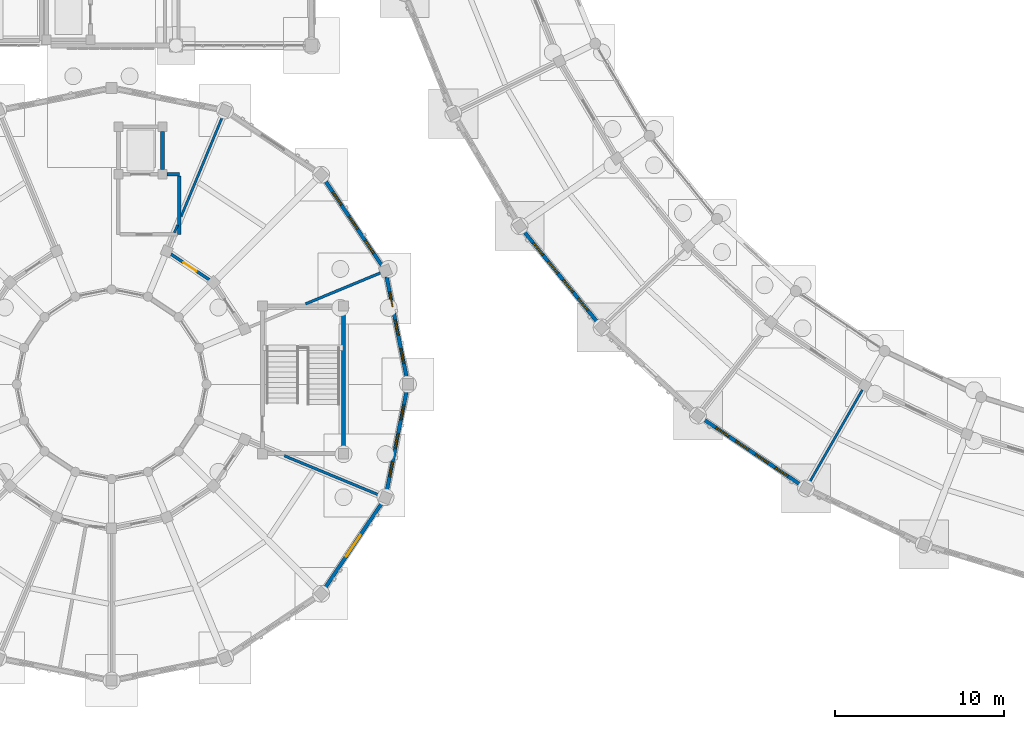
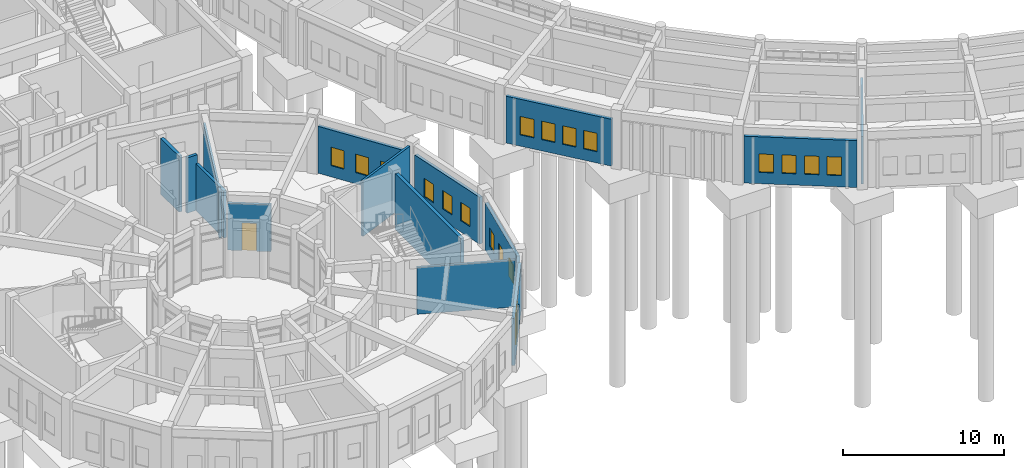
# One storey, part 117 of 153: 17 windows, 16 walls, 2 doors, 19 openings.
"""IFC4 building model written with IfcOpenShell, lengths in metres."""

from ifc_helpers import new_model, si_unit, direction, frame, frame_2d, origin, place, context, subcontext, project, spatial, rectangle, extrude, material, layer, layer_set, type_object, element, fill, save


model = new_model("IFC4")

# Units and contexts
model_context = context("Model", 3, precision=1e-05, world=origin(), true_north=direction((0.0, 1.0)))
body_context = subcontext(model_context, "Body", "Model", "MODEL_VIEW")
ifc_project = project(units=[si_unit("LENGTHUNIT", "METRE"), si_unit("AREAUNIT", "SQUARE_METRE"), si_unit("VOLUMEUNIT", "CUBIC_METRE"), si_unit("PLANEANGLEUNIT", "RADIAN"), si_unit("MASSUNIT", "GRAM", prefix="KILO")], contexts=[model_context])

# Site, building, storey
site_placement = place(None, origin())
site = spatial("IfcSite", under=ifc_project, at=site_placement, CompositionType="ELEMENT")
building_placement = place(site_placement, origin())
building = spatial("IfcBuilding", under=site, at=building_placement, Name="Celadon Cloister-Ring School", CompositionType="ELEMENT")
storey_placement = place(building_placement, origin())
storey = spatial("IfcBuildingStorey", under=building, at=storey_placement, Name="L00", CompositionType="ELEMENT", Elevation=0.0)

# Wall, openings, windows
ifc_material_1 = material(Name="Perforated terracotta clay brick masonry", Category="masonry")
ifc_layer_1 = layer(ifc_material_1, 0.219970703125)
ifc_layer_set_1 = layer_set([ifc_layer_1], Name="Perforated terracotta clay brick masonry")
wall_type_1 = type_object("IfcWallType", Name="WT-EX4", PredefinedType="SOLIDWALL", material=ifc_layer_set_1)
wall_1_placement = place(storey_placement, frame((48.926025390625, 23.616943359375, 0.0), z_axis=(0.0, 0.0, 1.0), x_axis=(-0.629497848331, 0.777002225831, 0.0)))
wall_1 = element("IfcWall", 1, at=wall_1_placement, inside=storey, type_object=wall_type_1, Name="Exterior Wall 0017", PredefinedType="SOLIDWALL", context=body_context, shape_type="SweptSolid", body=[
    extrude(rectangle(XDim=7.031005859375, YDim=0.219970703125, at=frame_2d((3.515625, 0.0))), origin(), (0.0, 0.0, 1.0), 3.550048828125),
])
opening_1_placement = place(wall_1_placement, frame((0.9560546875, 0.0, 0.85009765625)))
opening_1 = element("IfcOpeningElement", 2, at=opening_1_placement, cuts=wall_1, Name="Opening WN-21", PredefinedType="OPENING", context=body_context, shape_type="SweptSolid", body=[
    extrude(rectangle(XDim=0.89990234375, YDim=1.39990234375, at=frame_2d((0.449951171875, 0.699951171875))), frame((0.0, 0.1201171875, 0.0), z_axis=(0.0, -1.0, 0.0), x_axis=(1.0, 0.0, 0.0)), (0.0, 0.0, 1.0), 0.239990234375),
])
opening_2_placement = place(wall_1_placement, frame((2.362060546875, 0.0, 0.85009765625)))
opening_2 = element("IfcOpeningElement", 3, at=opening_2_placement, cuts=wall_1, Name="Opening WN-21", PredefinedType="OPENING", context=body_context, shape_type="SweptSolid", body=[
    extrude(rectangle(XDim=0.89990234375, YDim=1.39990234375, at=frame_2d((0.449951171875, 0.699951171875))), frame((0.0, 0.1201171875, 0.0), z_axis=(0.0, -1.0, 0.0), x_axis=(1.0, 0.0, 0.0)), (0.0, 0.0, 1.0), 0.239990234375),
])
opening_3_placement = place(wall_1_placement, frame((3.76904296875, 0.0, 0.85009765625)))
opening_3 = element("IfcOpeningElement", 4, at=opening_3_placement, cuts=wall_1, Name="Opening WN-21", PredefinedType="OPENING", context=body_context, shape_type="SweptSolid", body=[
    extrude(rectangle(XDim=0.89990234375, YDim=1.39990234375, at=frame_2d((0.449951171875, 0.699951171875))), frame((0.0, 0.1201171875, 0.0), z_axis=(0.0, -1.0, 0.0), x_axis=(1.0, 0.0, 0.0)), (0.0, 0.0, 1.0), 0.239990234375),
])
opening_4_placement = place(wall_1_placement, frame((5.175048828125, 0.0, 0.85009765625)))
opening_4 = element("IfcOpeningElement", 5, at=opening_4_placement, cuts=wall_1, Name="Opening WN-21", PredefinedType="OPENING", context=body_context, shape_type="SweptSolid", body=[
    extrude(rectangle(XDim=0.89990234375, YDim=1.39990234375, at=frame_2d((0.449951171875, 0.699951171875))), frame((0.0, 0.1201171875, 0.0), z_axis=(0.0, -1.0, 0.0), x_axis=(1.0, 0.0, 0.0)), (0.0, 0.0, 1.0), 0.239990234375),
])
ifc_material_2 = material(Name="Tempered laminated insulating glass", Category="glass")
window_type = type_object("IfcWindowType", Name="WN-21", PartitioningType="SINGLE_PANEL", PredefinedType="WINDOW", material=ifc_material_2)
window_1_placement = place(opening_1_placement, origin())
window_1 = element("IfcWindow", 6, at=window_1_placement, inside=storey, type_object=window_type, Name="Window 0042", OverallHeight=1.39990234375, OverallWidth=0.89990234375, PartitioningType="SINGLE_PANEL", PredefinedType="WINDOW", context=body_context, shape_type="SweptSolid", body=[
    extrude(rectangle(XDim=0.89990234375, YDim=1.39990234375, at=frame_2d((0.449951171875, 0.699951171875))), frame((0.0, 0.030029296875, 0.0), z_axis=(0.0, -1.0, 0.0), x_axis=(1.0, 0.0, 0.0)), (0.0, 0.0, 1.0), 0.06005859375),
])
fill(opening_1, window_1)
window_2_placement = place(opening_2_placement, origin())
window_2 = element("IfcWindow", 7, at=window_2_placement, inside=storey, type_object=window_type, Name="Window 0043", OverallHeight=1.39990234375, OverallWidth=0.89990234375, PartitioningType="SINGLE_PANEL", PredefinedType="WINDOW", context=body_context, shape_type="SweptSolid", body=[
    extrude(rectangle(XDim=0.89990234375, YDim=1.39990234375, at=frame_2d((0.449951171875, 0.699951171875))), frame((0.0, 0.030029296875, 0.0), z_axis=(0.0, -1.0, 0.0), x_axis=(1.0, 0.0, 0.0)), (0.0, 0.0, 1.0), 0.06005859375),
])
fill(opening_2, window_2)
window_3_placement = place(opening_3_placement, origin())
window_3 = element("IfcWindow", 8, at=window_3_placement, inside=storey, type_object=window_type, Name="Window 0044", OverallHeight=1.39990234375, OverallWidth=0.89990234375, PartitioningType="SINGLE_PANEL", PredefinedType="WINDOW", context=body_context, shape_type="SweptSolid", body=[
    extrude(rectangle(XDim=0.89990234375, YDim=1.39990234375, at=frame_2d((0.449951171875, 0.699951171875))), frame((0.0, 0.030029296875, 0.0), z_axis=(0.0, -1.0, 0.0), x_axis=(1.0, 0.0, 0.0)), (0.0, 0.0, 1.0), 0.06005859375),
])
fill(opening_3, window_3)
window_4_placement = place(opening_4_placement, origin())
window_4 = element("IfcWindow", 9, at=window_4_placement, inside=storey, type_object=window_type, Name="Window 0045", OverallHeight=1.39990234375, OverallWidth=0.89990234375, PartitioningType="SINGLE_PANEL", PredefinedType="WINDOW", context=body_context, shape_type="SweptSolid", body=[
    extrude(rectangle(XDim=0.89990234375, YDim=1.39990234375, at=frame_2d((0.449951171875, 0.699951171875))), frame((0.0, 0.030029296875, 0.0), z_axis=(0.0, -1.0, 0.0), x_axis=(1.0, 0.0, 0.0)), (0.0, 0.0, 1.0), 0.06005859375),
])
fill(opening_4, window_4)

wall_2_placement = place(storey_placement, frame((60.928955078125, 14.034912109375, 0.0), z_axis=(0.0, 0.0, 1.0), x_axis=(-0.829175809129, 0.558987904659, 0.0)))
wall_2 = element("IfcWall", 10, at=wall_2_placement, inside=storey, type_object=wall_type_1, Name="Exterior Wall 0020", PredefinedType="SOLIDWALL", context=body_context, shape_type="SweptSolid", body=[
    extrude(rectangle(XDim=7.03076171875, YDim=0.219970703125, at=frame_2d((3.515380859375, 0.0))), origin(), (0.0, 0.0, 1.0), 3.550048828125),
])
opening_5_placement = place(wall_2_placement, frame((0.9560546875, 0.0, 0.85009765625)))
opening_5 = element("IfcOpeningElement", 11, at=opening_5_placement, cuts=wall_2, Name="Opening WN-21", PredefinedType="OPENING", context=body_context, shape_type="SweptSolid", body=[
    extrude(rectangle(XDim=0.89990234375, YDim=1.39990234375, at=frame_2d((0.449951171875, 0.699951171875))), frame((0.0, 0.1201171875, 0.0), z_axis=(0.0, -1.0, 0.0), x_axis=(1.0, 0.0, 0.0)), (0.0, 0.0, 1.0), 0.239990234375),
])
opening_6_placement = place(wall_2_placement, frame((2.362060546875, 0.0, 0.85009765625)))
opening_6 = element("IfcOpeningElement", 12, at=opening_6_placement, cuts=wall_2, Name="Opening WN-21", PredefinedType="OPENING", context=body_context, shape_type="SweptSolid", body=[
    extrude(rectangle(XDim=0.89990234375, YDim=1.39990234375, at=frame_2d((0.449951171875, 0.699951171875))), frame((0.0, 0.1201171875, 0.0), z_axis=(0.0, -1.0, 0.0), x_axis=(1.0, 0.0, 0.0)), (0.0, 0.0, 1.0), 0.239990234375),
])
opening_7_placement = place(wall_2_placement, frame((3.76904296875, 0.0, 0.85009765625)))
opening_7 = element("IfcOpeningElement", 13, at=opening_7_placement, cuts=wall_2, Name="Opening WN-21", PredefinedType="OPENING", context=body_context, shape_type="SweptSolid", body=[
    extrude(rectangle(XDim=0.89990234375, YDim=1.39990234375, at=frame_2d((0.449951171875, 0.699951171875))), frame((0.0, 0.1201171875, 0.0), z_axis=(0.0, -1.0, 0.0), x_axis=(1.0, 0.0, 0.0)), (0.0, 0.0, 1.0), 0.239990234375),
])
opening_8_placement = place(wall_2_placement, frame((5.175048828125, 0.0, 0.85009765625)))
opening_8 = element("IfcOpeningElement", 14, at=opening_8_placement, cuts=wall_2, Name="Opening WN-21", PredefinedType="OPENING", context=body_context, shape_type="SweptSolid", body=[
    extrude(rectangle(XDim=0.89990234375, YDim=1.39990234375, at=frame_2d((0.449951171875, 0.699951171875))), frame((0.0, 0.1201171875, 0.0), z_axis=(0.0, -1.0, 0.0), x_axis=(1.0, 0.0, 0.0)), (0.0, 0.0, 1.0), 0.239990234375),
])
window_5_placement = place(opening_5_placement, origin())
window_5 = element("IfcWindow", 15, at=window_5_placement, inside=storey, type_object=window_type, Name="Window 0047", OverallHeight=1.39990234375, OverallWidth=0.89990234375, PartitioningType="SINGLE_PANEL", PredefinedType="WINDOW", context=body_context, shape_type="SweptSolid", body=[
    extrude(rectangle(XDim=0.89990234375, YDim=1.39990234375, at=frame_2d((0.449951171875, 0.699951171875))), frame((0.0, 0.030029296875, 0.0), z_axis=(0.0, -1.0, 0.0), x_axis=(1.0, 0.0, 0.0)), (0.0, 0.0, 1.0), 0.06005859375),
])
fill(opening_5, window_5)
window_6_placement = place(opening_6_placement, origin())
window_6 = element("IfcWindow", 16, at=window_6_placement, inside=storey, type_object=window_type, Name="Window 0048", OverallHeight=1.39990234375, OverallWidth=0.89990234375, PartitioningType="SINGLE_PANEL", PredefinedType="WINDOW", context=body_context, shape_type="SweptSolid", body=[
    extrude(rectangle(XDim=0.89990234375, YDim=1.39990234375, at=frame_2d((0.449951171875, 0.699951171875))), frame((0.0, 0.030029296875, 0.0), z_axis=(0.0, -1.0, 0.0), x_axis=(1.0, 0.0, 0.0)), (0.0, 0.0, 1.0), 0.06005859375),
])
fill(opening_6, window_6)
window_7_placement = place(opening_7_placement, origin())
window_7 = element("IfcWindow", 17, at=window_7_placement, inside=storey, type_object=window_type, Name="Window 0049", OverallHeight=1.39990234375, OverallWidth=0.89990234375, PartitioningType="SINGLE_PANEL", PredefinedType="WINDOW", context=body_context, shape_type="SweptSolid", body=[
    extrude(rectangle(XDim=0.89990234375, YDim=1.39990234375, at=frame_2d((0.449951171875, 0.699951171875))), frame((0.0, 0.030029296875, 0.0), z_axis=(0.0, -1.0, 0.0), x_axis=(1.0, 0.0, 0.0)), (0.0, 0.0, 1.0), 0.06005859375),
])
fill(opening_7, window_7)
window_8_placement = place(opening_8_placement, origin())
window_8 = element("IfcWindow", 18, at=window_8_placement, inside=storey, type_object=window_type, Name="Window 0050", OverallHeight=1.39990234375, OverallWidth=0.89990234375, PartitioningType="SINGLE_PANEL", PredefinedType="WINDOW", context=body_context, shape_type="SweptSolid", body=[
    extrude(rectangle(XDim=0.89990234375, YDim=1.39990234375, at=frame_2d((0.449951171875, 0.699951171875))), frame((0.0, 0.030029296875, 0.0), z_axis=(0.0, -1.0, 0.0), x_axis=(1.0, 0.0, 0.0)), (0.0, 0.0, 1.0), 0.06005859375),
])
fill(opening_8, window_8)

wall_3_placement = place(storey_placement, frame((36.43701171875, 26.34912109375, 0.0), z_axis=(0.0, 0.0, 1.0), x_axis=(0.195149240347, -0.980773558979, 0.0)))
wall_3 = element("IfcWall", 19, at=wall_3_placement, inside=storey, type_object=wall_type_1, Name="Exterior Wall 0291", PredefinedType="SOLIDWALL", context=body_context, shape_type="SweptSolid", body=[
    extrude(rectangle(XDim=6.118896484375, YDim=0.219970703125, at=frame_2d((3.0595703125, 0.0))), origin(), (0.0, 0.0, 1.0), 3.550048828125),
])
opening_9_placement = place(wall_3_placement, frame((0.89599609375, 0.0, 0.85009765625)))
opening_9 = element("IfcOpeningElement", 20, at=opening_9_placement, cuts=wall_3, Name="Opening WN-21", PredefinedType="OPENING", context=body_context, shape_type="SweptSolid", body=[
    extrude(rectangle(XDim=0.89990234375, YDim=1.39990234375, at=frame_2d((0.449951171875, 0.699951171875))), frame((0.0, 0.1201171875, 0.0), z_axis=(0.0, -1.0, 0.0), x_axis=(1.0, 0.0, 0.0)), (0.0, 0.0, 1.0), 0.239990234375),
])
opening_10_placement = place(wall_3_placement, frame((2.60888671875, 0.0, 0.85009765625)))
opening_10 = element("IfcOpeningElement", 21, at=opening_10_placement, cuts=wall_3, Name="Opening WN-21", PredefinedType="OPENING", context=body_context, shape_type="SweptSolid", body=[
    extrude(rectangle(XDim=0.89990234375, YDim=1.39990234375, at=frame_2d((0.449951171875, 0.699951171875))), frame((0.0, 0.1201171875, 0.0), z_axis=(0.0, -1.0, 0.0), x_axis=(1.0, 0.0, 0.0)), (0.0, 0.0, 1.0), 0.239990234375),
])
opening_11_placement = place(wall_3_placement, frame((4.322998046875, 0.0, 0.85009765625)))
opening_11 = element("IfcOpeningElement", 22, at=opening_11_placement, cuts=wall_3, Name="Opening WN-21", PredefinedType="OPENING", context=body_context, shape_type="SweptSolid", body=[
    extrude(rectangle(XDim=0.89990234375, YDim=1.39990234375, at=frame_2d((0.449951171875, 0.699951171875))), frame((0.0, 0.1201171875, 0.0), z_axis=(0.0, -1.0, 0.0), x_axis=(1.0, 0.0, 0.0)), (0.0, 0.0, 1.0), 0.239990234375),
])
window_9_placement = place(opening_9_placement, origin())
window_9 = element("IfcWindow", 23, at=window_9_placement, inside=storey, type_object=window_type, Name="Window 0762", OverallHeight=1.39990234375, OverallWidth=0.89990234375, PartitioningType="SINGLE_PANEL", PredefinedType="WINDOW", context=body_context, shape_type="SweptSolid", body=[
    extrude(rectangle(XDim=0.89990234375, YDim=1.39990234375, at=frame_2d((0.449951171875, 0.699951171875))), frame((0.0, 0.030029296875, 0.0), z_axis=(0.0, -1.0, 0.0), x_axis=(1.0, 0.0, 0.0)), (0.0, 0.0, 1.0), 0.06005859375),
])
fill(opening_9, window_9)
window_10_placement = place(opening_10_placement, origin())
window_10 = element("IfcWindow", 24, at=window_10_placement, inside=storey, type_object=window_type, Name="Window 0763", OverallHeight=1.39990234375, OverallWidth=0.89990234375, PartitioningType="SINGLE_PANEL", PredefinedType="WINDOW", context=body_context, shape_type="SweptSolid", body=[
    extrude(rectangle(XDim=0.89990234375, YDim=1.39990234375, at=frame_2d((0.449951171875, 0.699951171875))), frame((0.0, 0.030029296875, 0.0), z_axis=(0.0, -1.0, 0.0), x_axis=(1.0, 0.0, 0.0)), (0.0, 0.0, 1.0), 0.06005859375),
])
fill(opening_10, window_10)
window_11_placement = place(opening_11_placement, origin())
window_11 = element("IfcWindow", 25, at=window_11_placement, inside=storey, type_object=window_type, Name="Window 0764", OverallHeight=1.39990234375, OverallWidth=0.89990234375, PartitioningType="SINGLE_PANEL", PredefinedType="WINDOW", context=body_context, shape_type="SweptSolid", body=[
    extrude(rectangle(XDim=0.89990234375, YDim=1.39990234375, at=frame_2d((0.449951171875, 0.699951171875))), frame((0.0, 0.030029296875, 0.0), z_axis=(0.0, -1.0, 0.0), x_axis=(1.0, 0.0, 0.0)), (0.0, 0.0, 1.0), 0.06005859375),
])
fill(opening_11, window_11)

wall_4_placement = place(storey_placement, frame((32.77099609375, 32.0791015625, 0.0), z_axis=(0.0, 0.0, 1.0), x_axis=(0.555657446161, -0.831411331728, 0.0)))
wall_4 = element("IfcWall", 26, at=wall_4_placement, inside=storey, type_object=wall_type_1, Name="Exterior Wall 0292", PredefinedType="SOLIDWALL", context=body_context, shape_type="SweptSolid", body=[
    extrude(rectangle(XDim=6.11865234375, YDim=0.219970703125, at=frame_2d((3.059326171875, 0.0))), origin(), (0.0, 0.0, 1.0), 3.550048828125),
])
opening_12_placement = place(wall_4_placement, frame((0.89599609375, 0.0, 0.85009765625)))
opening_12 = element("IfcOpeningElement", 27, at=opening_12_placement, cuts=wall_4, Name="Opening WN-21", PredefinedType="OPENING", context=body_context, shape_type="SweptSolid", body=[
    extrude(rectangle(XDim=0.89990234375, YDim=1.39990234375, at=frame_2d((0.449951171875, 0.699951171875))), frame((0.0, 0.1201171875, 0.0), z_axis=(0.0, -1.0, 0.0), x_axis=(1.0, 0.0, 0.0)), (0.0, 0.0, 1.0), 0.239990234375),
])
opening_13_placement = place(wall_4_placement, frame((2.60888671875, 0.0, 0.85009765625)))
opening_13 = element("IfcOpeningElement", 28, at=opening_13_placement, cuts=wall_4, Name="Opening WN-21", PredefinedType="OPENING", context=body_context, shape_type="SweptSolid", body=[
    extrude(rectangle(XDim=0.89990234375, YDim=1.39990234375, at=frame_2d((0.449951171875, 0.699951171875))), frame((0.0, 0.1201171875, 0.0), z_axis=(0.0, -1.0, 0.0), x_axis=(1.0, 0.0, 0.0)), (0.0, 0.0, 1.0), 0.239990234375),
])
opening_14_placement = place(wall_4_placement, frame((4.322998046875, 0.0, 0.85009765625)))
opening_14 = element("IfcOpeningElement", 29, at=opening_14_placement, cuts=wall_4, Name="Opening WN-21", PredefinedType="OPENING", context=body_context, shape_type="SweptSolid", body=[
    extrude(rectangle(XDim=0.89990234375, YDim=1.39990234375, at=frame_2d((0.449951171875, 0.699951171875))), frame((0.0, 0.1201171875, 0.0), z_axis=(0.0, -1.0, 0.0), x_axis=(1.0, 0.0, 0.0)), (0.0, 0.0, 1.0), 0.239990234375),
])
window_12_placement = place(opening_12_placement, origin())
window_12 = element("IfcWindow", 30, at=window_12_placement, inside=storey, type_object=window_type, Name="Window 0765", OverallHeight=1.39990234375, OverallWidth=0.89990234375, PartitioningType="SINGLE_PANEL", PredefinedType="WINDOW", context=body_context, shape_type="SweptSolid", body=[
    extrude(rectangle(XDim=0.89990234375, YDim=1.39990234375, at=frame_2d((0.449951171875, 0.699951171875))), frame((0.0, 0.030029296875, 0.0), z_axis=(0.0, -1.0, 0.0), x_axis=(1.0, 0.0, 0.0)), (0.0, 0.0, 1.0), 0.06005859375),
])
fill(opening_12, window_12)
window_13_placement = place(opening_13_placement, origin())
window_13 = element("IfcWindow", 31, at=window_13_placement, inside=storey, type_object=window_type, Name="Window 0766", OverallHeight=1.39990234375, OverallWidth=0.89990234375, PartitioningType="SINGLE_PANEL", PredefinedType="WINDOW", context=body_context, shape_type="SweptSolid", body=[
    extrude(rectangle(XDim=0.89990234375, YDim=1.39990234375, at=frame_2d((0.449951171875, 0.699951171875))), frame((0.0, 0.030029296875, 0.0), z_axis=(0.0, -1.0, 0.0), x_axis=(1.0, 0.0, 0.0)), (0.0, 0.0, 1.0), 0.06005859375),
])
fill(opening_13, window_13)
window_14_placement = place(opening_14_placement, origin())
window_14 = element("IfcWindow", 32, at=window_14_placement, inside=storey, type_object=window_type, Name="Window 0767", OverallHeight=1.39990234375, OverallWidth=0.89990234375, PartitioningType="SINGLE_PANEL", PredefinedType="WINDOW", context=body_context, shape_type="SweptSolid", body=[
    extrude(rectangle(XDim=0.89990234375, YDim=1.39990234375, at=frame_2d((0.449951171875, 0.699951171875))), frame((0.0, 0.030029296875, 0.0), z_axis=(0.0, -1.0, 0.0), x_axis=(1.0, 0.0, 0.0)), (0.0, 0.0, 1.0), 0.06005859375),
])
fill(opening_14, window_14)

# Wall, opening, door
wall_5_placement = place(storey_placement, frame((36.1708984375, 13.008056640625, 0.0), z_axis=(0.0, 0.0, 1.0), x_axis=(-0.555657446161, -0.831411331728, 0.0)))
wall_5 = element("IfcWall", 33, at=wall_5_placement, inside=storey, type_object=wall_type_1, Name="Exterior Wall 0308", PredefinedType="SOLIDWALL", context=body_context, shape_type="SweptSolid", body=[
    extrude(rectangle(XDim=6.11865234375, YDim=0.219970703125, at=frame_2d((3.059326171875, 0.0))), origin(), (0.0, 0.0, 1.0), 3.550048828125),
])
opening_15_placement = place(wall_5_placement, frame((2.283935546875, 0.0, 0.0)))
opening_15 = element("IfcOpeningElement", 34, at=opening_15_placement, cuts=wall_5, Name="Opening D-0014", PredefinedType="OPENING", context=body_context, shape_type="SweptSolid", body=[
    extrude(rectangle(XDim=1.550048828125, YDim=2.199951171875, at=frame_2d((0.77490234375, 1.10009765625))), frame((0.0, 0.1201171875, 0.0), z_axis=(0.0, -1.0, 0.0), x_axis=(1.0, 0.0, 0.0)), (0.0, 0.0, 1.0), 0.239990234375),
])
ifc_material_3 = material(Name="Aluminium EN AW-6063 T6", Category="aluminium")
door_type_1 = type_object("IfcDoorType", Name="DE-08", OperationType="NOTDEFINED", PredefinedType="DOOR", material=ifc_material_3)
door_1_placement = place(opening_15_placement, origin())
door_1 = element("IfcDoor", 35, at=door_1_placement, inside=storey, type_object=door_type_1, Name="Exterior Door D-0014", OperationType="SINGLE_SWING_RIGHT", OverallHeight=2.199951171875, OverallWidth=1.550048828125, PredefinedType="DOOR", context=body_context, shape_type="SweptSolid", body=[
    extrude(rectangle(XDim=1.550048828125, YDim=2.199951171875, at=frame_2d((0.77490234375, 1.10009765625))), frame((0.0, 0.02490234375, 0.0), z_axis=(0.0, -1.0, 0.0), x_axis=(1.0, 0.0, 0.0)), (0.0, 0.0, 1.0), 0.050048828125),
])
fill(opening_15, door_1)

# Wall, openings, windows
wall_6_placement = place(storey_placement, frame((37.631103515625, 19.652099609375, 0.0), z_axis=(0.0, 0.0, 1.0), x_axis=(-0.195149240347, -0.980773558979, 0.0)))
wall_6 = element("IfcWall", 36, at=wall_6_placement, inside=storey, type_object=wall_type_1, Name="Exterior Wall 0310", PredefinedType="SOLIDWALL", context=body_context, shape_type="SweptSolid", body=[
    extrude(rectangle(XDim=6.118896484375, YDim=0.219970703125, at=frame_2d((3.0595703125, 0.0))), origin(), (0.0, 0.0, 1.0), 3.550048828125),
])
opening_16_placement = place(wall_6_placement, frame((0.89599609375, 0.0, 0.85009765625)))
opening_16 = element("IfcOpeningElement", 37, at=opening_16_placement, cuts=wall_6, Name="Opening WN-21", PredefinedType="OPENING", context=body_context, shape_type="SweptSolid", body=[
    extrude(rectangle(XDim=0.89990234375, YDim=1.39990234375, at=frame_2d((0.449951171875, 0.699951171875))), frame((0.0, 0.1201171875, 0.0), z_axis=(0.0, -1.0, 0.0), x_axis=(1.0, 0.0, 0.0)), (0.0, 0.0, 1.0), 0.239990234375),
])
opening_17_placement = place(wall_6_placement, frame((2.60888671875, 0.0, 0.85009765625)))
opening_17 = element("IfcOpeningElement", 38, at=opening_17_placement, cuts=wall_6, Name="Opening WN-21", PredefinedType="OPENING", context=body_context, shape_type="SweptSolid", body=[
    extrude(rectangle(XDim=0.89990234375, YDim=1.39990234375, at=frame_2d((0.449951171875, 0.699951171875))), frame((0.0, 0.1201171875, 0.0), z_axis=(0.0, -1.0, 0.0), x_axis=(1.0, 0.0, 0.0)), (0.0, 0.0, 1.0), 0.239990234375),
])
opening_18_placement = place(wall_6_placement, frame((4.322998046875, 0.0, 0.85009765625)))
opening_18 = element("IfcOpeningElement", 39, at=opening_18_placement, cuts=wall_6, Name="Opening WN-21", PredefinedType="OPENING", context=body_context, shape_type="SweptSolid", body=[
    extrude(rectangle(XDim=0.89990234375, YDim=1.39990234375, at=frame_2d((0.449951171875, 0.699951171875))), frame((0.0, 0.1201171875, 0.0), z_axis=(0.0, -1.0, 0.0), x_axis=(1.0, 0.0, 0.0)), (0.0, 0.0, 1.0), 0.239990234375),
])
window_15_placement = place(opening_16_placement, origin())
window_15 = element("IfcWindow", 40, at=window_15_placement, inside=storey, type_object=window_type, Name="Window 0800", OverallHeight=1.39990234375, OverallWidth=0.89990234375, PartitioningType="SINGLE_PANEL", PredefinedType="WINDOW", context=body_context, shape_type="SweptSolid", body=[
    extrude(rectangle(XDim=0.89990234375, YDim=1.39990234375, at=frame_2d((0.449951171875, 0.699951171875))), frame((0.0, 0.030029296875, 0.0), z_axis=(0.0, -1.0, 0.0), x_axis=(1.0, 0.0, 0.0)), (0.0, 0.0, 1.0), 0.06005859375),
])
fill(opening_16, window_15)
window_16_placement = place(opening_17_placement, origin())
window_16 = element("IfcWindow", 41, at=window_16_placement, inside=storey, type_object=window_type, Name="Window 0801", OverallHeight=1.39990234375, OverallWidth=0.89990234375, PartitioningType="SINGLE_PANEL", PredefinedType="WINDOW", context=body_context, shape_type="SweptSolid", body=[
    extrude(rectangle(XDim=0.89990234375, YDim=1.39990234375, at=frame_2d((0.449951171875, 0.699951171875))), frame((0.0, 0.030029296875, 0.0), z_axis=(0.0, -1.0, 0.0), x_axis=(1.0, 0.0, 0.0)), (0.0, 0.0, 1.0), 0.06005859375),
])
fill(opening_17, window_16)
window_17_placement = place(opening_18_placement, origin())
window_17 = element("IfcWindow", 42, at=window_17_placement, inside=storey, type_object=window_type, Name="Window 0802", OverallHeight=1.39990234375, OverallWidth=0.89990234375, PartitioningType="SINGLE_PANEL", PredefinedType="WINDOW", context=body_context, shape_type="SweptSolid", body=[
    extrude(rectangle(XDim=0.89990234375, YDim=1.39990234375, at=frame_2d((0.449951171875, 0.699951171875))), frame((0.0, 0.030029296875, 0.0), z_axis=(0.0, -1.0, 0.0), x_axis=(1.0, 0.0, 0.0)), (0.0, 0.0, 1.0), 0.06005859375),
])
fill(opening_18, window_17)

# Walls
ifc_material_4 = material(Name="Plastered hollow concrete masonry", Category="masonry")
ifc_layer_2 = layer(ifc_material_4, 0.199951171875)
ifc_layer_set_2 = layer_set([ifc_layer_2], Name="Plastered hollow concrete masonry")
wall_type_2 = type_object("IfcWallType", Name="WT-PT1", PredefinedType="PARTITIONING", material=ifc_layer_set_2)
wall_7_placement = place(storey_placement, frame((23.467041015625, 32.39990234375, 0.0), z_axis=(0.0, 0.0, 1.0), x_axis=(1.0, 0.0, 0.0)))
element("IfcWall", 43, at=wall_7_placement, inside=storey, type_object=wall_type_2, Name="Interior Wall 0371", PredefinedType="PARTITIONING", context=body_context, shape_type="SweptSolid", body=[
    extrude(rectangle(XDim=0.73291015625, YDim=0.199951171875, at=frame_2d((0.366455078125, 0.0))), origin(), (0.0, 0.0, 1.0), 4.199951171875),
])
wall_8_placement = place(storey_placement, frame((24.199951171875, 28.85009765625, 0.0), z_axis=(0.0, 0.0, 1.0), x_axis=(0.0, 1.0, 0.0)))
element("IfcWall", 44, at=wall_8_placement, inside=storey, type_object=wall_type_2, Name="Interior Wall 0373", PredefinedType="PARTITIONING", context=body_context, shape_type="SweptSolid", body=[
    extrude(rectangle(XDim=3.447021484375, YDim=0.199951171875, at=frame_2d((1.7236328125, 0.0))), origin(), (0.0, 0.0, 1.0), 3.552001953125),
])

# Wall, opening, door
ifc_material_5 = material(Name="Plastered hollow concrete masonry", Category="masonry")
ifc_layer_3 = layer(ifc_material_5, 0.179931640625)
ifc_layer_set_3 = layer_set([ifc_layer_3], Name="Plastered hollow concrete masonry")
wall_type_3 = type_object("IfcWallType", Name="WT-PT2", PredefinedType="PARTITIONING", material=ifc_layer_set_3)
wall_9_placement = place(storey_placement, frame((25.9619140625, 26.175048828125, 0.0), z_axis=(0.0, 0.0, 1.0), x_axis=(-0.831096426298, 0.556128339679, 0.0)))
wall_9 = element("IfcWall", 45, at=wall_9_placement, inside=storey, type_object=wall_type_3, Name="Interior Wall 0779", PredefinedType="PARTITIONING", context=body_context, shape_type="SweptSolid", body=[
    extrude(rectangle(XDim=2.720458984375, YDim=0.179931640625, at=frame_2d((1.3603515625, 0.0))), origin(), (0.0, 0.0, 1.0), 3.552001953125),
])
opening_19_placement = place(wall_9_placement, frame((0.89990234375, 0.0, 0.0)))
opening_19 = element("IfcOpeningElement", 46, at=opening_19_placement, cuts=wall_9, Name="Opening D-0280", PredefinedType="OPENING", context=body_context, shape_type="SweptSolid", body=[
    extrude(rectangle(XDim=0.919921875, YDim=2.10009765625, at=frame_2d((0.4599609375, 1.050048828125))), frame((0.0, 0.10009765625, 0.0), z_axis=(0.0, -1.0, 0.0), x_axis=(1.0, 0.0, 0.0)), (0.0, 0.0, 1.0), 0.199951171875),
])
ifc_material_6 = material(Name="Solid-core fire-rated hardwood leaf", Category="wood")
door_type_2 = type_object("IfcDoorType", Name="DT-02", OperationType="NOTDEFINED", PredefinedType="DOOR", material=ifc_material_6)
door_2_placement = place(opening_19_placement, origin())
door_2 = element("IfcDoor", 47, at=door_2_placement, inside=storey, type_object=door_type_2, Name="Door D-0280", OperationType="SINGLE_SWING_RIGHT", OverallHeight=2.10009765625, OverallWidth=0.919921875, PredefinedType="DOOR", context=body_context, shape_type="SweptSolid", body=[
    extrude(rectangle(XDim=0.919921875, YDim=2.10009765625, at=frame_2d((0.4599609375, 1.050048828125))), frame((0.0, 0.02490234375, 0.0), z_axis=(0.0, -1.0, 0.0), x_axis=(1.0, 0.0, 0.0)), (0.0, 0.0, 1.0), 0.050048828125),
])
fill(opening_19, door_2)

# Walls
ifc_material_7 = material(Name="Plastered hollow concrete masonry", Category="masonry")
ifc_layer_4 = layer(ifc_material_7, 0.159912109375)
ifc_layer_set_4 = layer_set([ifc_layer_4], Name="Plastered hollow concrete masonry")
wall_type_4 = type_object("IfcWallType", Name="WT-PT3", PredefinedType="PARTITIONING", material=ifc_layer_set_4)
wall_10_placement = place(storey_placement, frame((31.65087890625, 24.742919921875, 0.0), z_axis=(0.0, 0.0, 1.0), x_axis=(0.923842829076, 0.38277203028, 0.0)))
element("IfcWall", 48, at=wall_10_placement, inside=storey, type_object=wall_type_4, Name="Interior Wall 0760", PredefinedType="PARTITIONING", context=body_context, shape_type="SweptSolid", body=[
    extrude(rectangle(XDim=4.788818359375, YDim=0.159912109375, at=frame_2d((2.39453125, 0.0))), origin(), (0.0, 0.0, 1.0), 4.199951171875),
])
wall_11_placement = place(storey_placement, frame((30.39599609375, 15.777099609375, 0.0), z_axis=(0.0, 0.0, 1.0), x_axis=(0.923837705987, -0.382784394923, 0.0)))
element("IfcWall", 49, at=wall_11_placement, inside=storey, type_object=wall_type_4, Name="Interior Wall 0776", PredefinedType="PARTITIONING", context=body_context, shape_type="SweptSolid", body=[
    extrude(rectangle(XDim=6.147216796875, YDim=0.159912109375, at=frame_2d((3.07373046875, 0.0))), origin(), (0.0, 0.0, 1.0), 3.552001953125),
])
ifc_material_8 = material(Name="Acoustic mineral-wool drywall partition")
ifc_layer_5 = layer(ifc_material_8, 0.139892578125)
ifc_layer_set_5 = layer_set([ifc_layer_5], Name="Acoustic mineral-wool drywall partition")
wall_type_5 = type_object("IfcWallType", Name="WT-PT4", PredefinedType="PARTITIONING", material=ifc_layer_set_5)
wall_12_placement = place(storey_placement, frame((64.534912109375, 19.672119140625, 0.0), z_axis=(0.0, 0.0, 1.0), x_axis=(-0.495957929612, -0.868346550667, 0.0)))
element("IfcWall", 50, at=wall_12_placement, inside=storey, type_object=wall_type_5, Name="Interior Wall 0436", PredefinedType="PARTITIONING", context=body_context, shape_type="SweptSolid", body=[
    extrude(rectangle(XDim=6.3916015625, YDim=0.139892578125, at=frame_2d((3.19580078125, 0.0))), origin(), (0.0, 0.0, 1.0), 3.572021484375),
])
wall_13_placement = place(storey_placement, frame((23.907958984375, 28.952880859375, 0.0), z_axis=(0.0, 0.0, 1.0), x_axis=(0.3827885685, 0.92383597669, 0.0)))
element("IfcWall", 51, at=wall_13_placement, inside=storey, type_object=wall_type_5, Name="Interior Wall 0762", PredefinedType="PARTITIONING", context=body_context, shape_type="SweptSolid", body=[
    extrude(rectangle(XDim=0.49365234375, YDim=0.139892578125, at=frame_2d((0.246826171875, 0.0))), origin(), (0.0, 0.0, 1.0), 3.552001953125),
])
wall_14_placement = place(storey_placement, frame((24.302978515625, 29.906005859375, 0.0), z_axis=(0.0, 0.0, 1.0), x_axis=(0.382744474407, 0.923854245707, 0.0)))
element("IfcWall", 52, at=wall_14_placement, inside=storey, type_object=wall_type_5, Name="Interior Wall 0763", PredefinedType="PARTITIONING", context=body_context, shape_type="SweptSolid", body=[
    extrude(rectangle(XDim=6.4609375, YDim=0.139892578125, at=frame_2d((3.23046875, 0.0))), origin(), (0.0, 0.0, 1.0), 3.552001953125),
])
ifc_material_9 = material(Name="Concrete C40/50", Category="concrete")
ifc_layer_6 = layer(ifc_material_9, 0.239990234375)
ifc_layer_set_6 = layer_set([ifc_layer_6], Name="Concrete C40/50")
wall_type_6 = type_object("IfcWallType", Name="WT-SH1", PredefinedType="SHEAR", material=ifc_layer_set_6)
wall_15_placement = place(storey_placement, frame((33.89990234375, 24.327880859375, 0.0), z_axis=(0.0, 0.0, 1.0), x_axis=(0.0, -1.0, 0.0)))
element("IfcWall", 53, at=wall_15_placement, inside=storey, type_object=wall_type_6, Name="Interior Wall 0066", PredefinedType="SHEAR", context=body_context, shape_type="SweptSolid", body=[
    extrude(rectangle(XDim=8.135986328125, YDim=0.239990234375, at=frame_2d((4.06787109375, 0.0))), origin(), (0.0, 0.0, 1.0), 4.239990234375),
])
ifc_material_10 = material(Name="Concrete C40/50", Category="concrete")
ifc_layer_7 = layer(ifc_material_10, 0.219970703125)
ifc_layer_set_7 = layer_set([ifc_layer_7], Name="Concrete C40/50")
wall_type_7 = type_object("IfcWallType", Name="WT-SH2", PredefinedType="SHEAR", material=ifc_layer_set_7)
wall_16_placement = place(storey_placement, frame((23.199951171875, 32.6669921875, 0.0), z_axis=(0.0, 0.0, 1.0), x_axis=(0.0, 1.0, 0.0)))
element("IfcWall", 54, at=wall_16_placement, inside=storey, type_object=wall_type_7, Name="Interior Wall 0368", PredefinedType="SHEAR", context=body_context, shape_type="SweptSolid", body=[
    extrude(rectangle(XDim=2.26611328125, YDim=0.219970703125, at=frame_2d((1.133056640625, 0.0))), origin(), (0.0, 0.0, 1.0), 4.239990234375),
])

save(model, "model.ifc")
